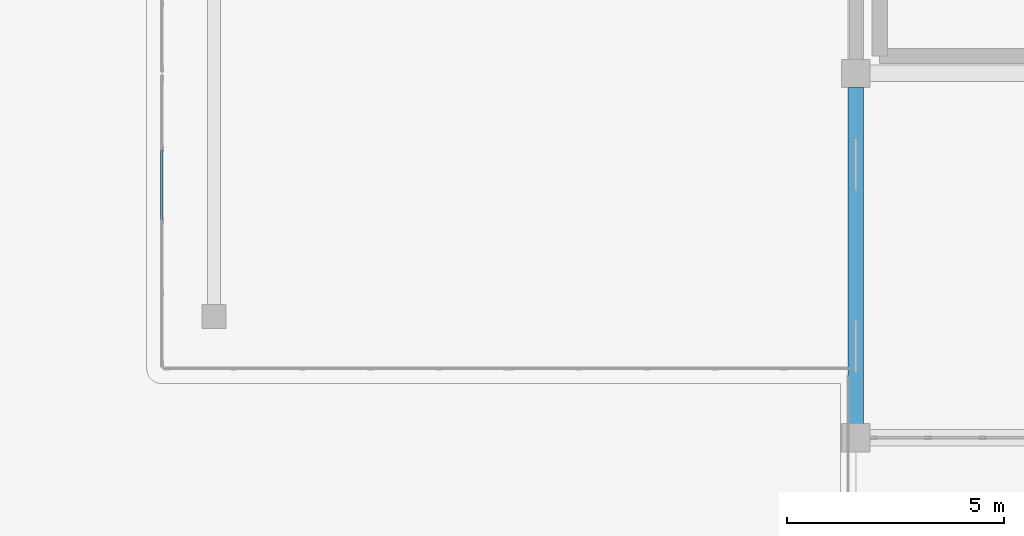
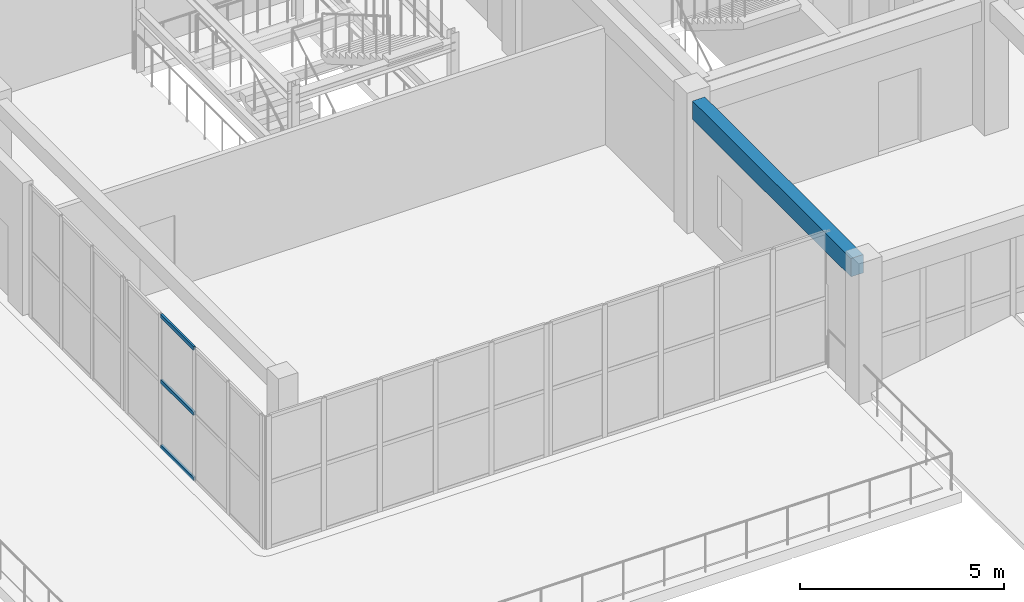
# One storey, part 16 of 90: 3 members, 1 beam, 1 element without a shape of its own.
"""IFC4 building model written with IfcOpenShell, lengths in metres."""

from ifc_helpers import new_model, si_unit, direction, frame, origin, origin_2d, place, context, subcontext, project, spatial, rectangle, hollow_rectangle, extrude, material, layer, layer_set, material_profile, profile_set, type_object, element, aggregate, save


model = new_model("IFC4")

# Units and contexts
model_context = context("Model", 3, precision=1e-05, world=origin(), true_north=direction((0.0, 1.0)))
body_context = subcontext(model_context, "Body", "Model", "MODEL_VIEW")
ifc_project = project(units=[si_unit("LENGTHUNIT", "METRE"), si_unit("AREAUNIT", "SQUARE_METRE"), si_unit("VOLUMEUNIT", "CUBIC_METRE"), si_unit("PLANEANGLEUNIT", "RADIAN"), si_unit("MASSUNIT", "GRAM", prefix="KILO")], contexts=[model_context])

# Site, building, storey
site_placement = place(None, origin())
site = spatial("IfcSite", under=ifc_project, at=site_placement, CompositionType="ELEMENT")
building_placement = place(site_placement, origin())
building = spatial("IfcBuilding", under=site, at=building_placement, Name="Trelvath General Hospital", CompositionType="ELEMENT")
storey_placement = place(building_placement, frame((0.0, 0.0, 20.39990234375)))
storey = spatial("IfcBuildingStorey", under=building, at=storey_placement, Name="L05", CompositionType="ELEMENT", Elevation=20.39990234375)

# Beam
ifc_material_1 = material(Name="Concrete C35/45", Category="concrete")
ifc_material_profile_1 = material_profile(ifc_material_1, rectangle(XDim=0.35009765625, YDim=0.550048828125, at=origin_2d()), Name="RCB350x550")
ifc_profile_set_1 = profile_set([ifc_material_profile_1], Name="Concrete C35/45")
beam_type = type_object("IfcBeamType", Name="Beam RC350x550", PredefinedType="BEAM", material=ifc_profile_set_1)
beam_placement = place(storey_placement, frame((75.60009765625, 42.320068359375, 3.64501953125), z_axis=(0.0, 1.0, 0.0), x_axis=(-1.0, 0.0, 0.0)))
element("IfcBeam", 1, at=beam_placement, inside=storey, type_object=beam_type, Name="Grid Beam BY-509F", PredefinedType="BEAM", context=body_context, shape_type="SweptSolid", body=[
    extrude(rectangle(XDim=0.35009765625, YDim=0.550048828125, at=origin_2d()), origin(), (0.0, 0.0, 1.0), 7.760009765625),
])

# Curtain wall, members
ifc_material_2 = material(Name="Anodised aluminium and low-E glass", Category="aluminium")
ifc_layer = layer(ifc_material_2, 0.14990234375)
ifc_layer_set = layer_set([ifc_layer], Name="Anodised aluminium and low-E glass")
curtain_wall_type = type_object("IfcCurtainWallType", Name="CW CrystalCube 664 396 15", PredefinedType="USERDEFINED", material=ifc_layer_set)
curtain_wall_placement = place(storey_placement, origin())
curtain_wall = element("IfcCurtainWall", 2, at=curtain_wall_placement, inside=storey, type_object=curtain_wall_type, Name="Crystal Cube Curtain Wall CUBE-W-T2 W1 L05", ObjectType="Unitised Glazed Curtain Wall", PredefinedType="USERDEFINED")
ifc_material_3 = material(Name="Anodised aluminium", Category="aluminium")
ifc_material_profile_2 = material_profile(ifc_material_3, hollow_rectangle(XDim=0.06005859375, YDim=0.110107421875, WallThickness=0.00390625, at=origin_2d()), Name="RHS60x110x4")
ifc_profile_set_2 = profile_set([ifc_material_profile_2], Name="Anodised aluminium")
member_type = type_object("IfcMemberType", Name="CurtainTransom 60x110", PredefinedType="USERDEFINED", material=ifc_profile_set_2)
member_1_placement = place(storey_placement, frame((59.60009765625, 47.030029296875, 0.030029296875), z_axis=(0.0, 1.0, 0.0), x_axis=(-1.0, 0.0, 0.0)))
member_1 = element("IfcMember", 3, at=member_1_placement, type_object=member_type, Name="CW-310 transom 3.1", ObjectType="TRANSOM", PredefinedType="USERDEFINED", context=body_context, shape_type="SweptSolid", body=[
    extrude(hollow_rectangle(XDim=0.06005859375, YDim=0.110107421875, WallThickness=0.00390625, at=origin_2d()), origin(), (0.0, 0.0, 1.0), 1.599853515625),
])
member_2_placement = place(storey_placement, frame((59.60009765625, 47.030029296875, 1.97998046875), z_axis=(0.0, 1.0, 0.0), x_axis=(-1.0, 0.0, 0.0)))
member_2 = element("IfcMember", 4, at=member_2_placement, type_object=member_type, Name="CW-310 transom 3.2", ObjectType="TRANSOM", PredefinedType="USERDEFINED", context=body_context, shape_type="SweptSolid", body=[
    extrude(hollow_rectangle(XDim=0.06005859375, YDim=0.110107421875, WallThickness=0.00390625, at=origin_2d()), origin(), (0.0, 0.0, 1.0), 1.599853515625),
])
member_3_placement = place(storey_placement, frame((59.60009765625, 47.030029296875, 3.93017578125), z_axis=(0.0, 1.0, 0.0), x_axis=(-1.0, 0.0, 0.0)))
member_3 = element("IfcMember", 5, at=member_3_placement, type_object=member_type, Name="CW-310 transom 3.3", ObjectType="TRANSOM", PredefinedType="USERDEFINED", context=body_context, shape_type="SweptSolid", body=[
    extrude(hollow_rectangle(XDim=0.06005859375, YDim=0.110107421875, WallThickness=0.00390625, at=origin_2d()), origin(), (0.0, 0.0, 1.0), 1.599853515625),
])
aggregate(curtain_wall, [member_1, member_2, member_3])

save(model, "model.ifc")
